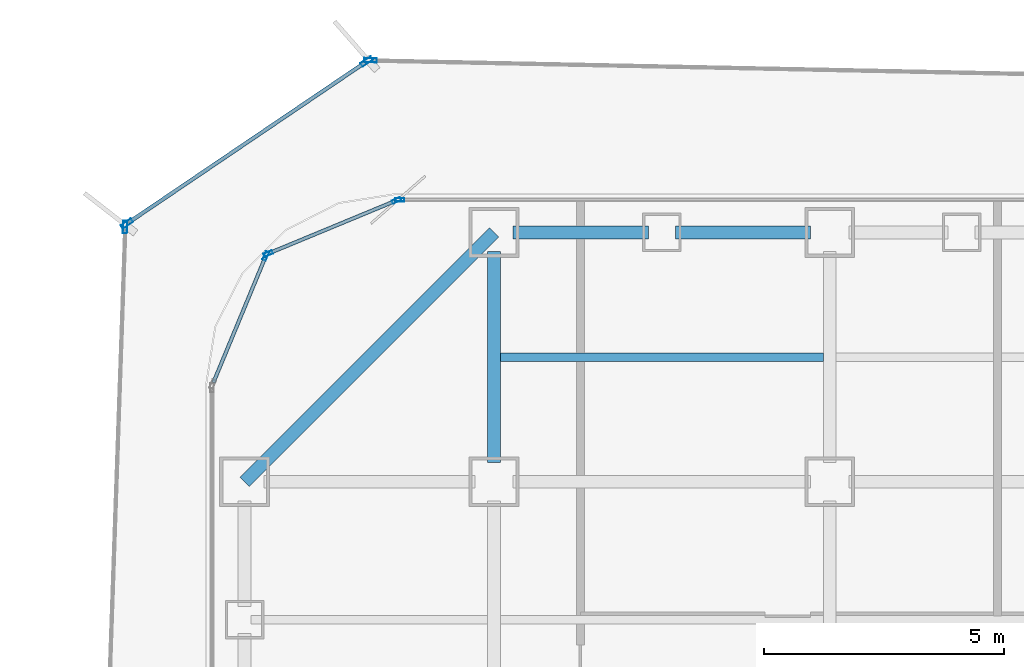
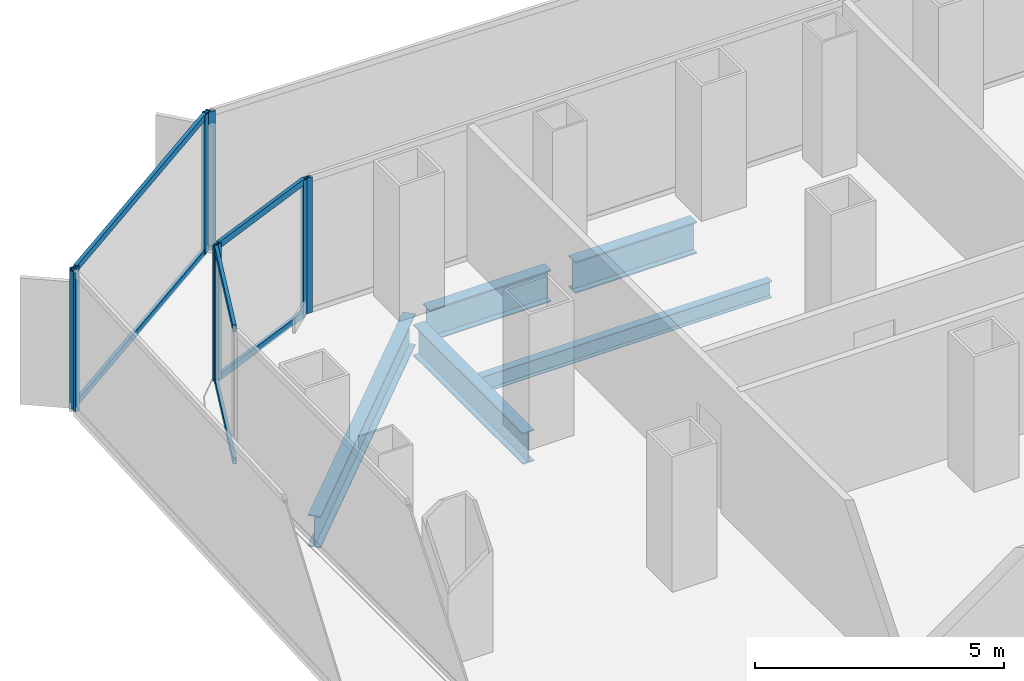
# One storey, part 11 of 22: 14 members, 5 beams, 6 elements without a shape of their own.
"""IFC4 building model written with IfcOpenShell, lengths in metres."""

from ifc_helpers import new_model, si_unit, direction, frame, origin, origin_2d, place, context, subcontext, project, spatial, hollow_rectangle, i_section, extrude, source, transform, mapped, material, layer, layer_set, material_profile, profile_set, type_object, element, aggregate, save


model = new_model("IFC4")

# Units and contexts
model_context = context("Model", 3, precision=1e-05, world=origin(), true_north=direction((0.0, 1.0)))
body_context = subcontext(model_context, "Body", "Model", "MODEL_VIEW")
ifc_project = project(units=[si_unit("LENGTHUNIT", "METRE"), si_unit("AREAUNIT", "SQUARE_METRE"), si_unit("VOLUMEUNIT", "CUBIC_METRE"), si_unit("PLANEANGLEUNIT", "RADIAN"), si_unit("MASSUNIT", "GRAM", prefix="KILO")], contexts=[model_context])

# Site, building, storey
site_placement = place(None, origin())
site = spatial("IfcSite", under=ifc_project, at=site_placement, CompositionType="ELEMENT")
building_placement = place(site_placement, origin())
building = spatial("IfcBuilding", under=site, at=building_placement, Name="Kolveth Station Tower", CompositionType="ELEMENT")
storey_placement = place(building_placement, frame((0.0, 0.0, 65.699951171875)))
storey = spatial("IfcBuildingStorey", under=building, at=storey_placement, Name="L17", CompositionType="ELEMENT", Elevation=65.699951171875)

# Beams
ifc_material_1 = material(Name="Steel S355", Category="steel")
ifc_material_profile_1 = material_profile(ifc_material_1, i_section(OverallWidth=0.26904296875, OverallDepth=0.77490234375, WebThickness=0.01708984375, FlangeThickness=0.0283203125, at=origin_2d()), Name="W760x220")
ifc_profile_set_1 = profile_set([ifc_material_profile_1], Name="Steel S355")
beam_type_1 = type_object("IfcBeamType", Name="Beam_SP1", PredefinedType="SPANDREL", material=ifc_profile_set_1)
shared_shape_1 = source(origin(), body_context, "Body", "SweptSolid", [
    extrude(i_section(OverallWidth=0.26904296875, OverallDepth=0.77490234375, WebThickness=0.01708984375, FlangeThickness=0.0283203125, at=origin_2d()), origin(), (0.0, 0.0, 1.0), 7.353759765625),
])
beam_1_placement = place(storey_placement, frame((6.0, 39.699951171875, -0.66748046875), z_axis=(-0.707106781187, -0.707106781187, 0.0), x_axis=(0.707106781187, -0.707106781187, 0.0)))
element("IfcBeam", 1, at=beam_1_placement, inside=storey, type_object=beam_type_1, Name="L17 Corner Edge Girder BM-L17-CNR-NW", PredefinedType="SPANDREL", context=body_context, shape_type="MappedRepresentation", body=[
    mapped(shared_shape_1, transform((0.0, 0.0, 0.0), x_axis=(1.0, 0.0, 0.0), y_axis=(0.0, 1.0, 0.0), z_axis=(0.0, 0.0, 1.0), scale=1.0)),
])
shared_shape_2 = source(origin(), body_context, "Body", "SweptSolid", [
    extrude(i_section(OverallWidth=0.26904296875, OverallDepth=0.77490234375, WebThickness=0.01708984375, FlangeThickness=0.0283203125, at=origin_2d()), origin(), (0.0, 0.0, 1.0), 2.820068359375),
])
for number, where, z_axis, x_axis, name in (
    (2, (6.39990234375, 39.699951171875, -0.66748046875), (1.0, 0.0, 0.0), (0.0, 1.0, 0.0), "L17 Perimeter Spandrel BM-L17-PN-1"),
    (3, (9.780029296875, 39.699951171875, -0.66748046875), (1.0, 0.0, 0.0), (0.0, 1.0, 0.0), "L17 Perimeter Spandrel BM-L17-PN-2"),
):
    element("IfcBeam", number, at=place(storey_placement, frame(where, z_axis=z_axis, x_axis=x_axis)), inside=storey, type_object=beam_type_1, Name=name, PredefinedType="SPANDREL", context=body_context, shape_type="MappedRepresentation", body=[
        mapped(shared_shape_2, transform((0.0, 0.0, 0.0), x_axis=(1.0, 0.0, 0.0), y_axis=(0.0, 1.0, 0.0), z_axis=(0.0, 0.0, 1.0), scale=1.0)),
    ])
ifc_material_profile_2 = material_profile(ifc_material_1, i_section(OverallWidth=0.26708984375, OverallDepth=0.76611328125, WebThickness=0.014892578125, FlangeThickness=0.023681640625, at=origin_2d()), Name="W760x185")
ifc_profile_set_2 = profile_set([ifc_material_profile_2], Name="Steel S355")
beam_type_2 = type_object("IfcBeamType", Name="Beam_B3", PredefinedType="BEAM", material=ifc_profile_set_2)
shared_shape_3 = source(origin(), body_context, "Body", "SweptSolid", [
    extrude(i_section(OverallWidth=0.26708984375, OverallDepth=0.76611328125, WebThickness=0.014892578125, FlangeThickness=0.023681640625, at=origin_2d()), origin(), (0.0, 0.0, 1.0), 4.400146484375),
])
beam_2_placement = place(storey_placement, frame((6.0, 34.89990234375, -0.662841796875), z_axis=(0.0, 1.0, 0.0), x_axis=(-1.0, 0.0, 0.0)))
element("IfcBeam", 4, at=beam_2_placement, inside=storey, type_object=beam_type_2, Name="L17 Primary Girder BM-L17-GX60-7", PredefinedType="BEAM", context=body_context, shape_type="MappedRepresentation", body=[
    mapped(shared_shape_3, transform((0.0, 0.0, 0.0), x_axis=(1.0, 0.0, 0.0), y_axis=(0.0, 1.0, 0.0), z_axis=(0.0, 0.0, 1.0), scale=1.0)),
])
ifc_material_profile_3 = material_profile(ifc_material_1, i_section(OverallWidth=0.177978515625, OverallDepth=0.406982421875, WebThickness=0.0078125, FlangeThickness=0.0126953125, at=origin_2d()), Name="W410x60")
ifc_profile_set_3 = profile_set([ifc_material_profile_3], Name="Steel S355")
beam_type_3 = type_object("IfcBeamType", Name="Beam_J1", PredefinedType="JOIST", material=ifc_profile_set_3)
shared_shape_4 = source(origin(), body_context, "Body", "SweptSolid", [
    extrude(i_section(OverallWidth=0.177978515625, OverallDepth=0.406982421875, WebThickness=0.0078125, FlangeThickness=0.0126953125, at=origin_2d()), origin(), (0.0, 0.0, 1.0), 6.73681640625),
])
beam_3_placement = place(storey_placement, frame((6.131591796875, 37.10009765625, -0.4833984375), z_axis=(1.0, 0.0, 0.0), x_axis=(0.0, 1.0, 0.0)))
element("IfcBeam", 5, at=beam_3_placement, inside=storey, type_object=beam_type_3, Name="L17 Secondary Joist JST-L17-2-7", PredefinedType="JOIST", context=body_context, shape_type="MappedRepresentation", body=[
    mapped(shared_shape_4, transform((0.0, 0.0, 0.0), x_axis=(1.0, 0.0, 0.0), y_axis=(0.0, 1.0, 0.0), z_axis=(0.0, 0.0, 1.0), scale=1.0)),
])

# Curtain wall, member
ifc_material_2 = material(Name="Aluminium 6063-T6 and low-E dark glass", Category="aluminium")
ifc_layer_1 = layer(ifc_material_2, 0.179931640625)
ifc_layer_set_1 = layer_set([ifc_layer_1], Name="Aluminium 6063-T6 and low-E dark glass")
curtain_wall_type_1 = type_object("IfcCurtainWallType", Name="CurtainWall_CW-Z1", PredefinedType="NOTDEFINED", material=ifc_layer_set_1)
curtain_wall_1_placement = place(storey_placement, origin())
curtain_wall_1 = element("IfcCurtainWall", 6, at=curtain_wall_1_placement, inside=storey, type_object=curtain_wall_type_1, Name="L17 Inner Thermal Curtain Wall 6", PredefinedType="NOTDEFINED")
ifc_material_3 = material(Name="Black anodized aluminium 6063-T6", Category="aluminium")
ifc_material_profile_4 = material_profile(ifc_material_3, hollow_rectangle(XDim=0.074951171875, YDim=0.18994140625, WallThickness=0.0048828125, at=origin_2d()), Name="ALU-75x190x5")
ifc_profile_set_4 = profile_set([ifc_material_profile_4], Name="Black anodized aluminium 6063-T6")
member_type_1 = type_object("IfcMemberType", Name="Mullion_ML1", PredefinedType="MULLION", material=ifc_profile_set_4)
shared_shape_5 = source(origin(), body_context, "Body", "SweptSolid", [
    extrude(hollow_rectangle(XDim=0.074951171875, YDim=0.18994140625, WallThickness=0.0048828125, at=origin_2d()), origin(), (0.0, 0.0, 1.0), 3.320068359375),
])
member_1_placement = place(storey_placement, frame((4.03759765625, 40.3798828125, 0.0), z_axis=(0.0, 0.0, 1.0), x_axis=(0.0, -1.0, 0.0)))
member_1 = element("IfcMember", 7, at=member_1_placement, type_object=member_type_1, Name="CW-Z1 mullion 3", PredefinedType="MULLION", context=body_context, shape_type="MappedRepresentation", body=[
    mapped(shared_shape_5, transform((0.0, 0.0, 0.0), x_axis=(1.0, 0.0, 0.0), y_axis=(0.0, 1.0, 0.0), z_axis=(0.0, 0.0, 1.0), scale=1.0)),
])
aggregate(curtain_wall_1, [member_1])

# Curtain wall, members
curtain_wall_2_placement = place(storey_placement, origin())
curtain_wall_2 = element("IfcCurtainWall", 8, at=curtain_wall_2_placement, inside=storey, type_object=curtain_wall_type_1, Name="L17 Inner Thermal Curtain Wall 7", PredefinedType="NOTDEFINED")
member_2_placement = place(storey_placement, frame((3.96533203125, 40.36572265625, 0.0), z_axis=(0.0, 0.0, 1.0), x_axis=(0.382672990201, -0.923883857728, 0.0)))
member_2 = element("IfcMember", 9, at=member_2_placement, type_object=member_type_1, Name="CW-Z1 mullion 1", PredefinedType="MULLION", context=body_context, shape_type="MappedRepresentation", body=[
    mapped(shared_shape_5, transform((0.0, 0.0, 0.0), x_axis=(1.0, 0.0, 0.0), y_axis=(0.0, 1.0, 0.0), z_axis=(0.0, 0.0, 1.0), scale=1.0)),
])
member_3_placement = place(storey_placement, frame((1.291015625, 39.258056640625, 0.0), z_axis=(0.0, 0.0, 1.0), x_axis=(0.382672990201, -0.923883857728, 0.0)))
member_3 = element("IfcMember", 10, at=member_3_placement, type_object=member_type_1, Name="CW-Z1 mullion 2", PredefinedType="MULLION", context=body_context, shape_type="MappedRepresentation", body=[
    mapped(shared_shape_5, transform((0.0, 0.0, 0.0), x_axis=(1.0, 0.0, 0.0), y_axis=(0.0, 1.0, 0.0), z_axis=(0.0, 0.0, 1.0), scale=1.0)),
])

# Curtain wall, member
curtain_wall_3_placement = place(storey_placement, origin())
curtain_wall_3 = element("IfcCurtainWall", 11, at=curtain_wall_3_placement, inside=storey, type_object=curtain_wall_type_1, Name="L17 Inner Thermal Curtain Wall 8", PredefinedType="NOTDEFINED")
member_4_placement = place(storey_placement, frame((1.241943359375, 39.208984375, 0.0), z_axis=(0.0, 0.0, 1.0), x_axis=(0.923883857728, -0.382672990201, 0.0)))
member_4 = element("IfcMember", 12, at=member_4_placement, type_object=member_type_1, Name="CW-Z1 mullion 1", PredefinedType="MULLION", context=body_context, shape_type="MappedRepresentation", body=[
    mapped(shared_shape_5, transform((0.0, 0.0, 0.0), x_axis=(1.0, 0.0, 0.0), y_axis=(0.0, 1.0, 0.0), z_axis=(0.0, 0.0, 1.0), scale=1.0)),
])

# Member
ifc_material_profile_5 = material_profile(ifc_material_3, hollow_rectangle(XDim=0.074951171875, YDim=0.159912109375, WallThickness=0.0048828125, at=origin_2d()), Name="ALU-75x160x5")
ifc_profile_set_5 = profile_set([ifc_material_profile_5], Name="Black anodized aluminium 6063-T6")
member_type_2 = type_object("IfcMemberType", Name="Transom_TR1", PredefinedType="USERDEFINED", material=ifc_profile_set_5)
shared_shape_6 = source(origin(), body_context, "Body", "SweptSolid", [
    extrude(hollow_rectangle(XDim=0.074951171875, YDim=0.159912109375, WallThickness=0.0048828125, at=origin_2d()), origin(), (0.0, 0.0, 1.0), 2.819580078125),
])
member_5_placement = place(storey_placement, frame((3.9306640625, 40.351318359375, 0.03759765625), z_axis=(-0.923869084389, -0.382708655389, 0.0), x_axis=(0.382708655389, -0.923869084389, 0.0)))
member_5 = element("IfcMember", 13, at=member_5_placement, type_object=member_type_2, Name="CW-Z1 transom 1.1", ObjectType="TRANSOM", PredefinedType="USERDEFINED", context=body_context, shape_type="MappedRepresentation", body=[
    mapped(shared_shape_6, transform((0.0, 0.0, 0.0), x_axis=(1.0, 0.0, 0.0), y_axis=(0.0, 1.0, 0.0), z_axis=(0.0, 0.0, 1.0), scale=1.0)),
])

member_6_placement = place(storey_placement, frame((3.9306640625, 40.351318359375, 3.282470703125), z_axis=(-0.923869084389, -0.382708655389, 0.0), x_axis=(0.382708655389, -0.923869084389, 0.0)))
member_6 = element("IfcMember", 14, at=member_6_placement, type_object=member_type_2, Name="CW-Z1 transom 1.2", ObjectType="TRANSOM", PredefinedType="USERDEFINED", context=body_context, shape_type="MappedRepresentation", body=[
    mapped(shared_shape_6, transform((0.0, 0.0, 0.0), x_axis=(1.0, 0.0, 0.0), y_axis=(0.0, 1.0, 0.0), z_axis=(0.0, 0.0, 1.0), scale=1.0)),
])

aggregate(curtain_wall_2, [member_2, member_3, member_5, member_6])

member_7_placement = place(storey_placement, frame((1.227783203125, 39.17431640625, 0.03759765625), z_axis=(-0.382708655389, -0.923869084389, 0.0), x_axis=(0.923869084389, -0.382708655389, 0.0)))
member_7 = element("IfcMember", 15, at=member_7_placement, type_object=member_type_2, Name="CW-Z1 transom 1.1", ObjectType="TRANSOM", PredefinedType="USERDEFINED", context=body_context, shape_type="MappedRepresentation", body=[
    mapped(shared_shape_6, transform((0.0, 0.0, 0.0), x_axis=(1.0, 0.0, 0.0), y_axis=(0.0, 1.0, 0.0), z_axis=(0.0, 0.0, 1.0), scale=1.0)),
])

member_8_placement = place(storey_placement, frame((1.227783203125, 39.17431640625, 3.282470703125), z_axis=(-0.382708655389, -0.923869084389, 0.0), x_axis=(0.923869084389, -0.382708655389, 0.0)))
member_8 = element("IfcMember", 16, at=member_8_placement, type_object=member_type_2, Name="CW-Z1 transom 1.2", ObjectType="TRANSOM", PredefinedType="USERDEFINED", context=body_context, shape_type="MappedRepresentation", body=[
    mapped(shared_shape_6, transform((0.0, 0.0, 0.0), x_axis=(1.0, 0.0, 0.0), y_axis=(0.0, 1.0, 0.0), z_axis=(0.0, 0.0, 1.0), scale=1.0)),
])

aggregate(curtain_wall_3, [member_4, member_7, member_8])

# Curtain wall, member
ifc_material_4 = material(Name="Black anodized aluminium 6063-T6 and dark solar glass", Category="aluminium")
ifc_layer_2 = layer(ifc_material_4, 0.159912109375)
ifc_layer_set_2 = layer_set([ifc_layer_2], Name="Black anodized aluminium 6063-T6 and dark solar glass")
curtain_wall_type_2 = type_object("IfcCurtainWallType", Name="OUTER SKIN CW-OS", PredefinedType="NOTDEFINED", material=ifc_layer_set_2)
curtain_wall_4_placement = place(storey_placement, origin())
curtain_wall_4 = element("IfcCurtainWall", 17, at=curtain_wall_4_placement, inside=storey, type_object=curtain_wall_type_2, Name="L17 Outer Ventilated Skin Curtain Wall 4", PredefinedType="NOTDEFINED")
ifc_material_profile_6 = material_profile(ifc_material_3, hollow_rectangle(XDim=0.090087890625, YDim=0.260009765625, WallThickness=0.0048828125, at=origin_2d()), Name="ALU-90x260x5")
ifc_profile_set_6 = profile_set([ifc_material_profile_6], Name="Black anodized aluminium 6063-T6")
member_type_3 = type_object("IfcMemberType", Name="FIN MULLION ML-OS", PredefinedType="MULLION", material=ifc_profile_set_6)
shared_shape_7 = source(origin(), body_context, "Body", "SweptSolid", [
    extrude(hollow_rectangle(XDim=0.090087890625, YDim=0.260009765625, WallThickness=0.0048828125, at=origin_2d()), origin(), (0.0, 0.0, 1.0), 3.39013671875),
])
member_9_placement = place(storey_placement, frame((3.42626953125, 43.289306640625, 0.0), z_axis=(0.0, 0.0, 1.0), x_axis=(-0.020473736773, -0.999790391083, 0.0)))
member_9 = element("IfcMember", 18, at=member_9_placement, type_object=member_type_3, Name="CW-OS mullion 2", PredefinedType="MULLION", context=body_context, shape_type="MappedRepresentation", body=[
    mapped(shared_shape_7, transform((0.0, 0.0, 0.0), x_axis=(1.0, 0.0, 0.0), y_axis=(0.0, 1.0, 0.0), z_axis=(0.0, 0.0, 1.0), scale=1.0)),
])
aggregate(curtain_wall_4, [member_9])

# Curtain wall, members
curtain_wall_5_placement = place(storey_placement, origin())
curtain_wall_5 = element("IfcCurtainWall", 19, at=curtain_wall_5_placement, inside=storey, type_object=curtain_wall_type_2, Name="L17 Outer Ventilated Skin Curtain Wall 5", PredefinedType="NOTDEFINED")
member_10_placement = place(storey_placement, frame((3.343994140625, 43.264892578125, 0.0), z_axis=(0.0, 0.0, 1.0), x_axis=(0.56034593171, -0.828258677477, 0.0)))
member_10 = element("IfcMember", 20, at=member_10_placement, type_object=member_type_3, Name="CW-OS mullion 1", PredefinedType="MULLION", context=body_context, shape_type="MappedRepresentation", body=[
    mapped(shared_shape_7, transform((0.0, 0.0, 0.0), x_axis=(1.0, 0.0, 0.0), y_axis=(0.0, 1.0, 0.0), z_axis=(0.0, 0.0, 1.0), scale=1.0)),
])
member_11_placement = place(storey_placement, frame((-1.655029296875, 39.883056640625, 0.0), z_axis=(0.0, 0.0, 1.0), x_axis=(0.56034593171, -0.828258677477, 0.0)))
member_11 = element("IfcMember", 21, at=member_11_placement, type_object=member_type_3, Name="CW-OS mullion 2", PredefinedType="MULLION", context=body_context, shape_type="MappedRepresentation", body=[
    mapped(shared_shape_7, transform((0.0, 0.0, 0.0), x_axis=(1.0, 0.0, 0.0), y_axis=(0.0, 1.0, 0.0), z_axis=(0.0, 0.0, 1.0), scale=1.0)),
])

# Curtain wall, member
curtain_wall_6_placement = place(storey_placement, origin())
curtain_wall_6 = element("IfcCurtainWall", 22, at=curtain_wall_6_placement, inside=storey, type_object=curtain_wall_type_2, Name="L17 Outer Ventilated Skin Curtain Wall 6", PredefinedType="NOTDEFINED")
member_12_placement = place(storey_placement, frame((-1.69384765625, 39.812744140625, 0.0), z_axis=(0.0, 0.0, 1.0), x_axis=(0.999401731036, -0.034585835278, 0.0)))
member_12 = element("IfcMember", 23, at=member_12_placement, type_object=member_type_3, Name="CW-OS mullion 1", PredefinedType="MULLION", context=body_context, shape_type="MappedRepresentation", body=[
    mapped(shared_shape_7, transform((0.0, 0.0, 0.0), x_axis=(1.0, 0.0, 0.0), y_axis=(0.0, 1.0, 0.0), z_axis=(0.0, 0.0, 1.0), scale=1.0)),
])
aggregate(curtain_wall_6, [member_12])

# Member
ifc_material_profile_7 = material_profile(ifc_material_3, hollow_rectangle(XDim=0.080078125, YDim=0.14990234375, WallThickness=0.0048828125, at=origin_2d()), Name="ALU-80x150x5")
ifc_profile_set_7 = profile_set([ifc_material_profile_7], Name="Black anodized aluminium 6063-T6")
member_type_4 = type_object("IfcMemberType", Name="Transom_TR-OS", PredefinedType="USERDEFINED", material=ifc_profile_set_7)
shared_shape_8 = source(origin(), body_context, "Body", "SweptSolid", [
    extrude(hollow_rectangle(XDim=0.080078125, YDim=0.14990234375, WallThickness=0.0048828125, at=origin_2d()), origin(), (0.0, 0.0, 1.0), 5.9453125),
])
member_13_placement = place(storey_placement, frame((3.306640625, 43.23974609375, 0.0400390625), z_axis=(-0.828253144257, -0.560354110388, 0.0), x_axis=(0.560354110388, -0.828253144257, 0.0)))
member_13 = element("IfcMember", 24, at=member_13_placement, type_object=member_type_4, Name="CW-OS transom 1.1", ObjectType="TRANSOM", PredefinedType="USERDEFINED", context=body_context, shape_type="MappedRepresentation", body=[
    mapped(shared_shape_8, transform((0.0, 0.0, 0.0), x_axis=(1.0, 0.0, 0.0), y_axis=(0.0, 1.0, 0.0), z_axis=(0.0, 0.0, 1.0), scale=1.0)),
])

member_14_placement = place(storey_placement, frame((3.306640625, 43.23974609375, 3.35009765625), z_axis=(-0.828253144257, -0.560354110388, 0.0), x_axis=(0.560354110388, -0.828253144257, 0.0)))
member_14 = element("IfcMember", 25, at=member_14_placement, type_object=member_type_4, Name="CW-OS transom 1.2", ObjectType="TRANSOM", PredefinedType="USERDEFINED", context=body_context, shape_type="MappedRepresentation", body=[
    mapped(shared_shape_8, transform((0.0, 0.0, 0.0), x_axis=(1.0, 0.0, 0.0), y_axis=(0.0, 1.0, 0.0), z_axis=(0.0, 0.0, 1.0), scale=1.0)),
])

aggregate(curtain_wall_5, [member_10, member_11, member_13, member_14])

save(model, "model.ifc")
